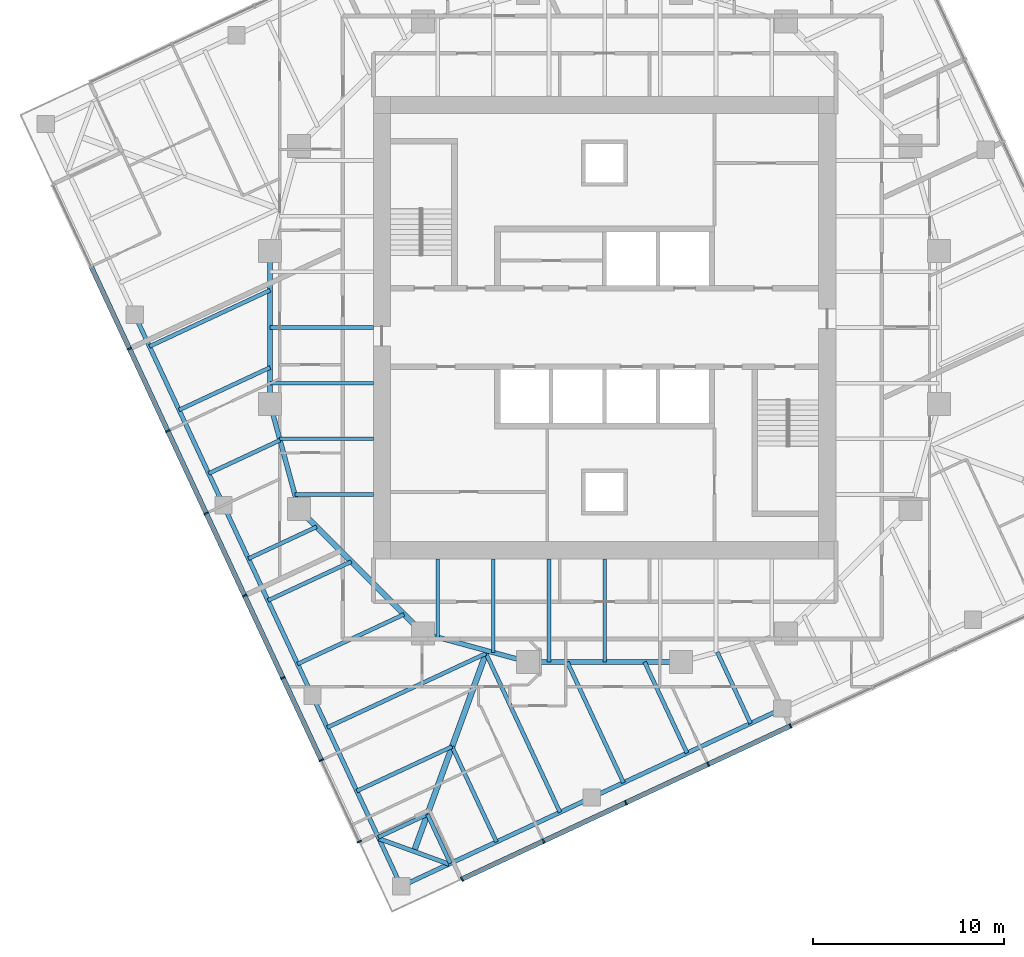
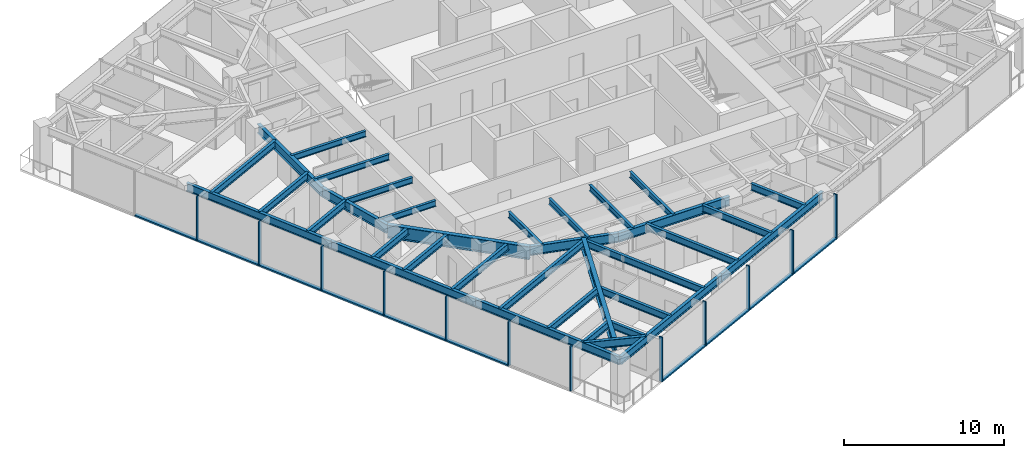
# One storey, part 2 of 13: 35 beams, 22 members, 2 elements without a shape of their own.
"""IFC4 building model written with IfcOpenShell, lengths in metres."""

from ifc_helpers import new_model, si_unit, direction, frame, origin, origin_2d, place, context, subcontext, project, spatial, rectangle, i_section, extrude, material, material_profile, profile_set, type_object, element, aggregate, save


model = new_model("IFC4")

# Units and contexts
model_context = context("Model", 3, precision=1e-05, world=origin(), true_north=direction((0.0, 1.0)))
body_context = subcontext(model_context, "Body", "Model", "MODEL_VIEW")
ifc_project = project(units=[si_unit("LENGTHUNIT", "METRE"), si_unit("AREAUNIT", "SQUARE_METRE"), si_unit("VOLUMEUNIT", "CUBIC_METRE"), si_unit("PLANEANGLEUNIT", "RADIAN"), si_unit("MASSUNIT", "GRAM", prefix="KILO")], contexts=[model_context])

# Site, building, storey
site_placement = place(None, origin())
site = spatial("IfcSite", under=ifc_project, at=site_placement, CompositionType="ELEMENT")
building_placement = place(site_placement, origin())
building = spatial("IfcBuilding", under=site, at=building_placement, Name="Torsade Residences", CompositionType="ELEMENT")
storey_placement = place(building_placement, frame((0.0, 0.0, 182.800048828125)))
storey = spatial("IfcBuildingStorey", under=building, at=storey_placement, Name="L50", CompositionType="ELEMENT", Elevation=182.800048828125)

# Beams
ifc_material_1 = material(Name="Steel grade 300", Category="steel")
ifc_material_profile_1 = material_profile(ifc_material_1, i_section(OverallWidth=0.300048828125, OverallDepth=0.89990234375, WebThickness=0.011962890625, FlangeThickness=0.02490234375, at=origin_2d()), Name="900WB175")
ifc_profile_set_1 = profile_set([ifc_material_profile_1], Name="Steel grade 300")
beam_type_1 = type_object("IfcBeamType", Name="CORNER GIRDER 900WB175", PredefinedType="BEAM", material=ifc_profile_set_1)
beam_1_placement = place(storey_placement, frame((30.02392578125, 2.5908203125, 2.800048828125), z_axis=(0.342015044723, 0.93969447651, 0.0), x_axis=(-0.93969447651, 0.342015044723, 0.0)))
element("IfcBeam", 1, at=beam_1_placement, inside=storey, type_object=beam_type_1, Name="Corner girder 01 L51", PredefinedType="BEAM", context=body_context, shape_type="SweptSolid", body=[
    extrude(i_section(OverallWidth=0.300048828125, OverallDepth=0.89990234375, WebThickness=0.011962890625, FlangeThickness=0.02490234375, at=origin_2d()), origin(), (0.0, 0.0, 1.0), 11.170654296875),
])
ifc_material_2 = material(Name="Steel grade 300", Category="steel")
ifc_material_profile_2 = material_profile(ifc_material_2, i_section(OverallWidth=0.22802734375, OverallDepth=0.60205078125, WebThickness=0.010498046875, FlangeThickness=0.014892578125, FilletRadius=0.013916015625, at=origin_2d()), Name="610UB101")
ifc_profile_set_2 = profile_set([ifc_material_profile_2], Name="Steel grade 300")
beam_type_2 = type_object("IfcBeamType", Name="CORNER TRIMMER 610UB101", PredefinedType="BEAM", material=ifc_profile_set_2)
beam_2_placement = place(storey_placement, frame((31.85107421875, 1.92578125, 2.948974609375), z_axis=(-0.939698076972, 0.342005152204, 0.0), x_axis=(-0.342005152204, -0.939698076972, 0.0)))
element("IfcBeam", 2, at=beam_2_placement, inside=storey, type_object=beam_type_2, Name="Corner trimmer 01 L51", PredefinedType="BEAM", context=body_context, shape_type="SweptSolid", body=[
    extrude(i_section(OverallWidth=0.22802734375, OverallDepth=0.60205078125, WebThickness=0.010498046875, FlangeThickness=0.014892578125, FilletRadius=0.013916015625, at=origin_2d()), origin(), (0.0, 0.0, 1.0), 3.88916015625),
])
ifc_material_3 = material(Name="Steel grade 300", Category="steel")
ifc_material_profile_3 = material_profile(ifc_material_3, i_section(OverallWidth=0.22900390625, OverallDepth=0.612060546875, WebThickness=0.011962890625, FlangeThickness=0.01953125, FilletRadius=0.013916015625, at=origin_2d()), Name="610UB125")
ifc_profile_set_3 = profile_set([ifc_material_profile_3], Name="Steel grade 300")
beam_type_3 = type_object("IfcBeamType", Name="EDGE BEAM 610UB125", PredefinedType="SPANDREL", material=ifc_profile_set_3)
beam_3_placement = place(storey_placement, frame((29.35888671875, 0.763671875, 2.94384765625), z_axis=(0.906309546032, 0.422614489543, 0.0), x_axis=(-0.422614489543, 0.906309546032, 0.0)))
element("IfcBeam", 3, at=beam_3_placement, inside=storey, type_object=beam_type_3, Name="Edge beam 01 L51", PredefinedType="SPANDREL", context=body_context, shape_type="SweptSolid", body=[
    extrude(i_section(OverallWidth=0.22900390625, OverallDepth=0.612060546875, WebThickness=0.011962890625, FlangeThickness=0.01953125, FilletRadius=0.013916015625, at=origin_2d()), origin(), (0.0, 0.0, 1.0), 10.999755859375),
])
for number, where, z_axis, x_axis, name in (
    (4, (39.328125, 5.412353515625, 2.94384765625), (0.906305009094, 0.422624219007, 0.0), (-0.422624219007, 0.906305009094, 0.0), "Edge beam 02 L51"),
    (5, (15.412353515625, 30.671875, 2.94384765625), (0.422624219007, -0.906305009094, 0.0), (0.906305009094, 0.422624219007, 0.0), "Edge beam 14 L51"),
):
    element("IfcBeam", number, at=place(storey_placement, frame(where, z_axis=z_axis, x_axis=x_axis)), inside=storey, type_object=beam_type_3, Name=name, PredefinedType="SPANDREL", context=body_context, shape_type="SweptSolid", body=[
        extrude(i_section(OverallWidth=0.22900390625, OverallDepth=0.612060546875, WebThickness=0.011962890625, FlangeThickness=0.01953125, FilletRadius=0.013916015625, at=origin_2d()), origin(), (0.0, 0.0, 1.0), 11.000244140625),
    ])
for number, where, z_axis, x_axis, name in (
    (6, (20.061279296875, 20.702392578125, 2.94384765625), (0.422605988587, -0.906313510001, 0.0), (0.906313510001, 0.422605988587, 0.0), "Edge beam 15 L51"),
    (7, (24.7099609375, 10.73291015625, 2.94384765625), (0.422632720171, -0.90630104482, 0.0), (0.90630104482, 0.422632720171, 0.0), "Edge beam 16 L51"),
):
    element("IfcBeam", number, at=place(storey_placement, frame(where, z_axis=z_axis, x_axis=x_axis)), inside=storey, type_object=beam_type_3, Name=name, PredefinedType="SPANDREL", context=body_context, shape_type="SweptSolid", body=[
        extrude(i_section(OverallWidth=0.22900390625, OverallDepth=0.612060546875, WebThickness=0.011962890625, FlangeThickness=0.01953125, FilletRadius=0.013916015625, at=origin_2d()), origin(), (0.0, 0.0, 1.0), 11.0),
    ])
ifc_material_4 = material(Name="Steel grade 300", Category="steel")
ifc_material_profile_4 = material_profile(ifc_material_4, i_section(OverallWidth=0.18994140625, OverallDepth=0.4541015625, WebThickness=0.008544921875, FlangeThickness=0.0126953125, FilletRadius=0.011474609375, at=origin_2d()), Name="460UB67.1")
ifc_profile_set_4 = profile_set([ifc_material_profile_4], Name="Steel grade 300")
beam_type_4 = type_object("IfcBeamType", Name="INNER FLOOR BEAM 460UB67.1", PredefinedType="JOIST", material=ifc_profile_set_4)
for number, where, z_axis, x_axis, name in (
    (8, (40.0, 17.89990234375, 3.02294921875), (0.0, -1.0, 0.0), (1.0, 0.0, 0.0), "Inner floor beam IS04 L51"),
    (9, (37.08740234375, 17.89990234375, 3.02294921875), (0.0, -1.0, 0.0), (1.0, 0.0, 0.0), "Inner floor beam IS05 L51"),
):
    element("IfcBeam", number, at=place(storey_placement, frame(where, z_axis=z_axis, x_axis=x_axis)), inside=storey, type_object=beam_type_4, Name=name, PredefinedType="JOIST", context=body_context, shape_type="SweptSolid", body=[
        extrude(i_section(OverallWidth=0.18994140625, OverallDepth=0.4541015625, WebThickness=0.008544921875, FlangeThickness=0.0126953125, FilletRadius=0.011474609375, at=origin_2d()), origin(), (0.0, 0.0, 1.0), 5.39990234375),
    ])
beam_4_placement = place(storey_placement, frame((34.175048828125, 17.89990234375, 3.02294921875), z_axis=(0.0, -1.0, 0.0), x_axis=(1.0, 0.0, 0.0)))
element("IfcBeam", 10, at=beam_4_placement, inside=storey, type_object=beam_type_4, Name="Inner floor beam IS06 L51", PredefinedType="JOIST", context=body_context, shape_type="SweptSolid", body=[
    extrude(i_section(OverallWidth=0.18994140625, OverallDepth=0.4541015625, WebThickness=0.008544921875, FlangeThickness=0.0126953125, FilletRadius=0.011474609375, at=origin_2d()), origin(), (0.0, 0.0, 1.0), 4.902099609375),
])
beam_5_placement = place(storey_placement, frame((31.262451171875, 17.89990234375, 3.02294921875), z_axis=(0.0, -1.0, 0.0), x_axis=(1.0, 0.0, 0.0)))
element("IfcBeam", 11, at=beam_5_placement, inside=storey, type_object=beam_type_4, Name="Inner floor beam IS07 L51", PredefinedType="JOIST", context=body_context, shape_type="SweptSolid", body=[
    extrude(i_section(OverallWidth=0.18994140625, OverallDepth=0.4541015625, WebThickness=0.008544921875, FlangeThickness=0.0126953125, FilletRadius=0.011474609375, at=origin_2d()), origin(), (0.0, 0.0, 1.0), 4.10791015625),
])
for number, where, z_axis, x_axis, name in (
    (12, (27.89990234375, 30.0, 3.02294921875), (-1.0, 0.0, 0.0), (0.0, -1.0, 0.0), "Inner floor beam IW04 L51"),
    (13, (27.89990234375, 27.08740234375, 3.02294921875), (-1.0, 0.0, 0.0), (0.0, -1.0, 0.0), "Inner floor beam IW05 L51"),
):
    element("IfcBeam", number, at=place(storey_placement, frame(where, z_axis=z_axis, x_axis=x_axis)), inside=storey, type_object=beam_type_4, Name=name, PredefinedType="JOIST", context=body_context, shape_type="SweptSolid", body=[
        extrude(i_section(OverallWidth=0.18994140625, OverallDepth=0.4541015625, WebThickness=0.008544921875, FlangeThickness=0.0126953125, FilletRadius=0.011474609375, at=origin_2d()), origin(), (0.0, 0.0, 1.0), 5.39990234375),
    ])
beam_6_placement = place(storey_placement, frame((27.89990234375, 24.175048828125, 3.02294921875), z_axis=(-1.0, 0.0, 0.0), x_axis=(0.0, -1.0, 0.0)))
element("IfcBeam", 14, at=beam_6_placement, inside=storey, type_object=beam_type_4, Name="Inner floor beam IW06 L51", PredefinedType="JOIST", context=body_context, shape_type="SweptSolid", body=[
    extrude(i_section(OverallWidth=0.18994140625, OverallDepth=0.4541015625, WebThickness=0.008544921875, FlangeThickness=0.0126953125, FilletRadius=0.011474609375, at=origin_2d()), origin(), (0.0, 0.0, 1.0), 4.902099609375),
])
beam_7_placement = place(storey_placement, frame((27.89990234375, 21.262451171875, 3.02294921875), z_axis=(-1.0, 0.0, 0.0), x_axis=(0.0, -1.0, 0.0)))
element("IfcBeam", 15, at=beam_7_placement, inside=storey, type_object=beam_type_4, Name="Inner floor beam IW07 L51", PredefinedType="JOIST", context=body_context, shape_type="SweptSolid", body=[
    extrude(i_section(OverallWidth=0.18994140625, OverallDepth=0.4541015625, WebThickness=0.008544921875, FlangeThickness=0.0126953125, FilletRadius=0.011474609375, at=origin_2d()), origin(), (0.0, 0.0, 1.0), 4.10791015625),
])

# Curtain wall, members
ifc_material_5 = material(Name="Aluminium and glass", Category="aluminium")
curtain_wall_type = type_object("IfcCurtainWallType", Name="FRITTED GLASS CURTAIN WALL MID ZONE", PredefinedType="NOTDEFINED", material=ifc_material_5)
curtain_wall_1_placement = place(storey_placement, origin())
curtain_wall_1 = element("IfcCurtainWall", 16, at=curtain_wall_1_placement, inside=storey, type_object=curtain_wall_type, Name="Curtain wall L50 face 1", PredefinedType="NOTDEFINED")
ifc_material_6 = material(Name="Aluminium mullion", Category="aluminium")
ifc_material_profile_5 = material_profile(ifc_material_6, rectangle(XDim=0.25, YDim=0.080078125, at=origin_2d()), Name="MID ZONE CURTAIN WALL MULLION 250x80")
ifc_profile_set_5 = profile_set([ifc_material_profile_5], Name="Aluminium mullion")
member_type_1 = type_object("IfcMemberType", Name="MID ZONE CURTAIN WALL MULLION 250x80", PredefinedType="MULLION", material=ifc_profile_set_5)
member_1_placement = place(storey_placement, frame((32.53662109375, 1.14208984375, 0.0), z_axis=(0.0, 0.0, 1.0), x_axis=(-0.422618261978, 0.906307786926, 0.0)))
member_1 = element("IfcMember", 17, at=member_1_placement, type_object=member_type_1, Name="Mullion 1", PredefinedType="MULLION", context=body_context, shape_type="SweptSolid", body=[
    extrude(rectangle(XDim=0.25, YDim=0.080078125, at=origin_2d()), origin(), (0.0, 0.0, 1.0), 3.39990234375),
])
member_2_placement = place(storey_placement, frame((36.805419921875, 3.132568359375, 0.0), z_axis=(0.0, 0.0, 1.0), x_axis=(-0.422618261978, 0.906307786926, 0.0)))
member_2 = element("IfcMember", 18, at=member_2_placement, type_object=member_type_1, Name="Mullion 2", PredefinedType="MULLION", context=body_context, shape_type="SweptSolid", body=[
    extrude(rectangle(XDim=0.25, YDim=0.080078125, at=origin_2d()), origin(), (0.0, 0.0, 1.0), 3.39990234375),
])
member_3_placement = place(storey_placement, frame((41.1103515625, 5.14013671875, 0.0), z_axis=(0.0, 0.0, 1.0), x_axis=(-0.422618261978, 0.906307786926, 0.0)))
member_3 = element("IfcMember", 19, at=member_3_placement, type_object=member_type_1, Name="Mullion 3", PredefinedType="MULLION", context=body_context, shape_type="SweptSolid", body=[
    extrude(rectangle(XDim=0.25, YDim=0.080078125, at=origin_2d()), origin(), (0.0, 0.0, 1.0), 3.39990234375),
])
member_4_placement = place(storey_placement, frame((45.415283203125, 7.1474609375, 0.0), z_axis=(0.0, 0.0, 1.0), x_axis=(-0.422618261978, 0.906307786926, 0.0)))
member_4 = element("IfcMember", 20, at=member_4_placement, type_object=member_type_1, Name="Mullion 4", PredefinedType="MULLION", context=body_context, shape_type="SweptSolid", body=[
    extrude(rectangle(XDim=0.25, YDim=0.080078125, at=origin_2d()), origin(), (0.0, 0.0, 1.0), 3.39990234375),
])
member_5_placement = place(storey_placement, frame((49.72021484375, 9.155029296875, 0.0), z_axis=(0.0, 0.0, 1.0), x_axis=(-0.422618261978, 0.906307786926, 0.0)))
member_5 = element("IfcMember", 21, at=member_5_placement, type_object=member_type_1, Name="Mullion 5", PredefinedType="MULLION", context=body_context, shape_type="SweptSolid", body=[
    extrude(rectangle(XDim=0.25, YDim=0.080078125, at=origin_2d()), origin(), (0.0, 0.0, 1.0), 3.39990234375),
])

curtain_wall_2_placement = place(storey_placement, origin())
curtain_wall_2 = element("IfcCurtainWall", 22, at=curtain_wall_2_placement, inside=storey, type_object=curtain_wall_type, Name="Curtain wall L50 face 10", PredefinedType="NOTDEFINED")
member_6_placement = place(storey_placement, frame((15.14013671875, 28.8896484375, 0.0), z_axis=(0.0, 0.0, 1.0), x_axis=(0.906307786926, 0.422618261978, 0.0)))
member_6 = element("IfcMember", 23, at=member_6_placement, type_object=member_type_1, Name="Mullion 3", PredefinedType="MULLION", context=body_context, shape_type="SweptSolid", body=[
    extrude(rectangle(XDim=0.25, YDim=0.080078125, at=origin_2d()), origin(), (0.0, 0.0, 1.0), 3.39990234375),
])
member_7_placement = place(storey_placement, frame((17.1474609375, 24.584716796875, 0.0), z_axis=(0.0, 0.0, 1.0), x_axis=(0.906307786926, 0.422618261978, 0.0)))
member_7 = element("IfcMember", 24, at=member_7_placement, type_object=member_type_1, Name="Mullion 4", PredefinedType="MULLION", context=body_context, shape_type="SweptSolid", body=[
    extrude(rectangle(XDim=0.25, YDim=0.080078125, at=origin_2d()), origin(), (0.0, 0.0, 1.0), 3.39990234375),
])
member_8_placement = place(storey_placement, frame((19.155029296875, 20.27978515625, 0.0), z_axis=(0.0, 0.0, 1.0), x_axis=(0.906307786926, 0.422618261978, 0.0)))
member_8 = element("IfcMember", 25, at=member_8_placement, type_object=member_type_1, Name="Mullion 5", PredefinedType="MULLION", context=body_context, shape_type="SweptSolid", body=[
    extrude(rectangle(XDim=0.25, YDim=0.080078125, at=origin_2d()), origin(), (0.0, 0.0, 1.0), 3.39990234375),
])
member_9_placement = place(storey_placement, frame((21.162353515625, 15.974853515625, 0.0), z_axis=(0.0, 0.0, 1.0), x_axis=(0.906307786926, 0.422618261978, 0.0)))
member_9 = element("IfcMember", 26, at=member_9_placement, type_object=member_type_1, Name="Mullion 6", PredefinedType="MULLION", context=body_context, shape_type="SweptSolid", body=[
    extrude(rectangle(XDim=0.25, YDim=0.080078125, at=origin_2d()), origin(), (0.0, 0.0, 1.0), 3.39990234375),
])
member_10_placement = place(storey_placement, frame((23.169677734375, 11.669921875, 0.0), z_axis=(0.0, 0.0, 1.0), x_axis=(0.906307786926, 0.422618261978, 0.0)))
member_10 = element("IfcMember", 27, at=member_10_placement, type_object=member_type_1, Name="Mullion 7", PredefinedType="MULLION", context=body_context, shape_type="SweptSolid", body=[
    extrude(rectangle(XDim=0.25, YDim=0.080078125, at=origin_2d()), origin(), (0.0, 0.0, 1.0), 3.39990234375),
])
member_11_placement = place(storey_placement, frame((25.17724609375, 7.364990234375, 0.0), z_axis=(0.0, 0.0, 1.0), x_axis=(0.906307786926, 0.422618261978, 0.0)))
member_11 = element("IfcMember", 28, at=member_11_placement, type_object=member_type_1, Name="Mullion 8", PredefinedType="MULLION", context=body_context, shape_type="SweptSolid", body=[
    extrude(rectangle(XDim=0.25, YDim=0.080078125, at=origin_2d()), origin(), (0.0, 0.0, 1.0), 3.39990234375),
])
member_12_placement = place(storey_placement, frame((27.167724609375, 3.09619140625, 0.0), z_axis=(0.0, 0.0, 1.0), x_axis=(0.906307786926, 0.422618261978, 0.0)))
member_12 = element("IfcMember", 29, at=member_12_placement, type_object=member_type_1, Name="Mullion 9", PredefinedType="MULLION", context=body_context, shape_type="SweptSolid", body=[
    extrude(rectangle(XDim=0.25, YDim=0.080078125, at=origin_2d()), origin(), (0.0, 0.0, 1.0), 3.39990234375),
])

# Member
ifc_material_7 = material(Name="Aluminium transom", Category="aluminium")
ifc_material_profile_6 = material_profile(ifc_material_7, rectangle(XDim=0.25, YDim=0.110107421875, at=origin_2d()), Name="MID ZONE CURTAIN WALL TRANSOM 250x110")
ifc_profile_set_6 = profile_set([ifc_material_profile_6], Name="Aluminium transom")
member_type_2 = type_object("IfcMemberType", Name="MID ZONE CURTAIN WALL TRANSOM 250x110", PredefinedType="USERDEFINED", material=ifc_profile_set_6)
member_13_placement = place(storey_placement, frame((32.572998046875, 1.158935546875, 0.054931640625), z_axis=(0.906296268578, 0.422642962277, 0.0), x_axis=(-0.422642962277, 0.906296268578, 0.0)))
member_13 = element("IfcMember", 30, at=member_13_placement, type_object=member_type_2, Name="Transom 1.1", ObjectType="TRANSOM", PredefinedType="USERDEFINED", context=body_context, shape_type="SweptSolid", body=[
    extrude(rectangle(XDim=0.25, YDim=0.110107421875, at=origin_2d()), origin(), (0.0, 0.0, 1.0), 4.6298828125),
])

member_14_placement = place(storey_placement, frame((36.841552734375, 3.1494140625, 0.054931640625), z_axis=(0.906305976097, 0.422622145291, 0.0), x_axis=(-0.422622145291, 0.906305976097, 0.0)))
member_14 = element("IfcMember", 31, at=member_14_placement, type_object=member_type_2, Name="Transom 2.1", ObjectType="TRANSOM", PredefinedType="USERDEFINED", context=body_context, shape_type="SweptSolid", body=[
    extrude(rectangle(XDim=0.25, YDim=0.110107421875, at=origin_2d()), origin(), (0.0, 0.0, 1.0), 4.669921875),
])

member_15_placement = place(storey_placement, frame((41.146484375, 5.156982421875, 0.054931640625), z_axis=(0.906305976097, 0.422622145291, 0.0), x_axis=(-0.422622145291, 0.906305976097, 0.0)))
member_15 = element("IfcMember", 32, at=member_15_placement, type_object=member_type_2, Name="Transom 3.1", ObjectType="TRANSOM", PredefinedType="USERDEFINED", context=body_context, shape_type="SweptSolid", body=[
    extrude(rectangle(XDim=0.25, YDim=0.110107421875, at=origin_2d()), origin(), (0.0, 0.0, 1.0), 4.669921875),
])

member_16_placement = place(storey_placement, frame((45.451416015625, 7.164306640625, 0.054931640625), z_axis=(0.90631531293, 0.422602122035, 0.0), x_axis=(-0.422602122035, 0.90631531293, 0.0)))
member_16 = element("IfcMember", 33, at=member_16_placement, type_object=member_type_2, Name="Transom 4.1", ObjectType="TRANSOM", PredefinedType="USERDEFINED", context=body_context, shape_type="SweptSolid", body=[
    extrude(rectangle(XDim=0.25, YDim=0.110107421875, at=origin_2d()), origin(), (0.0, 0.0, 1.0), 4.670166015625),
])

aggregate(curtain_wall_1, [member_1, member_2, member_3, member_4, member_5, member_13, member_14, member_15, member_16])

member_17_placement = place(storey_placement, frame((13.1494140625, 33.158447265625, 0.054931640625), z_axis=(0.422622145291, -0.906305976097, 0.0), x_axis=(0.906305976097, 0.422622145291, 0.0)))
member_17 = element("IfcMember", 34, at=member_17_placement, type_object=member_type_2, Name="Transom 2.1", ObjectType="TRANSOM", PredefinedType="USERDEFINED", context=body_context, shape_type="SweptSolid", body=[
    extrude(rectangle(XDim=0.25, YDim=0.110107421875, at=origin_2d()), origin(), (0.0, 0.0, 1.0), 4.669921875),
])

member_18_placement = place(storey_placement, frame((15.156982421875, 28.853515625, 0.054931640625), z_axis=(0.422622145291, -0.906305976097, 0.0), x_axis=(0.906305976097, 0.422622145291, 0.0)))
member_18 = element("IfcMember", 35, at=member_18_placement, type_object=member_type_2, Name="Transom 3.1", ObjectType="TRANSOM", PredefinedType="USERDEFINED", context=body_context, shape_type="SweptSolid", body=[
    extrude(rectangle(XDim=0.25, YDim=0.110107421875, at=origin_2d()), origin(), (0.0, 0.0, 1.0), 4.669921875),
])

member_19_placement = place(storey_placement, frame((17.164306640625, 24.548583984375, 0.054931640625), z_axis=(0.422602122035, -0.90631531293, 0.0), x_axis=(0.90631531293, 0.422602122035, 0.0)))
member_19 = element("IfcMember", 36, at=member_19_placement, type_object=member_type_2, Name="Transom 4.1", ObjectType="TRANSOM", PredefinedType="USERDEFINED", context=body_context, shape_type="SweptSolid", body=[
    extrude(rectangle(XDim=0.25, YDim=0.110107421875, at=origin_2d()), origin(), (0.0, 0.0, 1.0), 4.670166015625),
])

member_20_placement = place(storey_placement, frame((19.171875, 20.243408203125, 0.054931640625), z_axis=(0.422622145291, -0.906305976097, 0.0), x_axis=(0.906305976097, 0.422622145291, 0.0)))
member_20 = element("IfcMember", 37, at=member_20_placement, type_object=member_type_2, Name="Transom 5.1", ObjectType="TRANSOM", PredefinedType="USERDEFINED", context=body_context, shape_type="SweptSolid", body=[
    extrude(rectangle(XDim=0.25, YDim=0.110107421875, at=origin_2d()), origin(), (0.0, 0.0, 1.0), 4.669921875),
])

member_21_placement = place(storey_placement, frame((21.17919921875, 15.9384765625, 0.054931640625), z_axis=(0.422622145291, -0.906305976097, 0.0), x_axis=(0.906305976097, 0.422622145291, 0.0)))
member_21 = element("IfcMember", 38, at=member_21_placement, type_object=member_type_2, Name="Transom 6.1", ObjectType="TRANSOM", PredefinedType="USERDEFINED", context=body_context, shape_type="SweptSolid", body=[
    extrude(rectangle(XDim=0.25, YDim=0.110107421875, at=origin_2d()), origin(), (0.0, 0.0, 1.0), 4.669921875),
])

member_22_placement = place(storey_placement, frame((23.186767578125, 11.633544921875, 0.054931640625), z_axis=(0.422622145291, -0.906305976097, 0.0), x_axis=(0.906305976097, 0.422622145291, 0.0)))
member_22 = element("IfcMember", 39, at=member_22_placement, type_object=member_type_2, Name="Transom 7.1", ObjectType="TRANSOM", PredefinedType="USERDEFINED", context=body_context, shape_type="SweptSolid", body=[
    extrude(rectangle(XDim=0.25, YDim=0.110107421875, at=origin_2d()), origin(), (0.0, 0.0, 1.0), 4.669921875),
])

aggregate(curtain_wall_2, [member_6, member_7, member_8, member_9, member_10, member_11, member_12, member_17, member_18, member_19, member_20, member_21, member_22])

# Beams
ifc_material_8 = material(Name="Steel grade 300", Category="steel")
ifc_material_profile_7 = material_profile(ifc_material_8, i_section(OverallWidth=0.300048828125, OverallDepth=1.0, WebThickness=0.01611328125, FlangeThickness=0.028076171875, at=origin_2d()), Name="1000WB215")
ifc_profile_set_7 = profile_set([ifc_material_profile_7], Name="Steel grade 300")
beam_type_5 = type_object("IfcBeamType", Name="RING CORNER GIRDER 1000WB215", PredefinedType="BEAM", material=ifc_profile_set_7)
beam_8_placement = place(storey_placement, frame((24.0, 20.5, 2.75), z_axis=(0.707106781187, -0.707106781187, 0.0), x_axis=(0.707106781187, 0.707106781187, 0.0)))
element("IfcBeam", 40, at=beam_8_placement, inside=storey, type_object=beam_type_5, Name="Ring girder IR11 L51", PredefinedType="BEAM", context=body_context, shape_type="SweptSolid", body=[
    extrude(i_section(OverallWidth=0.300048828125, OverallDepth=1.0, WebThickness=0.01611328125, FlangeThickness=0.028076171875, at=origin_2d()), origin(), (0.0, 0.0, 1.0), 9.1923828125),
])
ifc_material_9 = material(Name="Steel grade 300", Category="steel")
ifc_material_profile_8 = material_profile(ifc_material_9, i_section(OverallWidth=0.25, OverallDepth=0.699951171875, WebThickness=0.010009765625, FlangeThickness=0.02001953125, at=origin_2d()), Name="700WB130")
ifc_profile_set_8 = profile_set([ifc_material_profile_8], Name="Steel grade 300")
beam_type_6 = type_object("IfcBeamType", Name="RING GIRDER 700WB130", PredefinedType="BEAM", material=ifc_profile_set_8)
beam_9_placement = place(storey_placement, frame((22.5, 34.0, 2.89990234375), z_axis=(0.0, -1.0, 0.0), x_axis=(1.0, 0.0, 0.0)))
element("IfcBeam", 41, at=beam_9_placement, inside=storey, type_object=beam_type_6, Name="Ring girder IR09 L51", PredefinedType="BEAM", context=body_context, shape_type="SweptSolid", body=[
    extrude(i_section(OverallWidth=0.25, OverallDepth=0.699951171875, WebThickness=0.010009765625, FlangeThickness=0.02001953125, at=origin_2d()), origin(), (0.0, 0.0, 1.0), 8.0),
])
for number, where, z_axis, x_axis, name in (
    (42, (22.5, 26.0, 2.89990234375), (0.263117405792, -0.964763821238, 0.0), (0.964763821238, 0.263117405792, 0.0), "Ring girder IR10 L51"),
    (43, (30.5, 14.0, 2.89990234375), (0.964763821238, -0.263117405792, 0.0), (0.263117405792, 0.964763821238, 0.0), "Ring girder IR12 L51"),
):
    element("IfcBeam", number, at=place(storey_placement, frame(where, z_axis=z_axis, x_axis=x_axis)), inside=storey, type_object=beam_type_6, Name=name, PredefinedType="BEAM", context=body_context, shape_type="SweptSolid", body=[
        extrude(i_section(OverallWidth=0.25, OverallDepth=0.699951171875, WebThickness=0.010009765625, FlangeThickness=0.02001953125, at=origin_2d()), origin(), (0.0, 0.0, 1.0), 5.700927734375),
    ])
beam_10_placement = place(storey_placement, frame((36.0, 12.5, 2.89990234375), z_axis=(1.0, 0.0, 0.0), x_axis=(0.0, 1.0, 0.0)))
element("IfcBeam", 44, at=beam_10_placement, inside=storey, type_object=beam_type_6, Name="Ring girder IR13 L51", PredefinedType="BEAM", context=body_context, shape_type="SweptSolid", body=[
    extrude(i_section(OverallWidth=0.25, OverallDepth=0.699951171875, WebThickness=0.010009765625, FlangeThickness=0.02001953125, at=origin_2d()), origin(), (0.0, 0.0, 1.0), 8.0),
])
ifc_material_10 = material(Name="Steel grade 300", Category="steel")
ifc_material_profile_9 = material_profile(ifc_material_10, i_section(OverallWidth=0.208984375, OverallDepth=0.528076171875, WebThickness=0.009521484375, FlangeThickness=0.01318359375, FilletRadius=0.013916015625, at=origin_2d()), Name="530UB82.0")
ifc_profile_set_9 = profile_set([ifc_material_profile_9], Name="Steel grade 300")
beam_type_7 = type_object("IfcBeamType", Name="SECONDARY BEAM 530UB82.0", PredefinedType="JOIST", material=ifc_profile_set_9)
beam_11_placement = place(storey_placement, frame((31.9267578125, 1.9609375, 2.98583984375), z_axis=(-0.422644877104, 0.906295375613, 0.0), x_axis=(-0.906295375613, -0.422644877104, 0.0)))
element("IfcBeam", 45, at=beam_11_placement, inside=storey, type_object=beam_type_7, Name="Floor beam FS01 L51", PredefinedType="JOIST", context=body_context, shape_type="SweptSolid", body=[
    extrude(i_section(OverallWidth=0.208984375, OverallDepth=0.528076171875, WebThickness=0.009521484375, FlangeThickness=0.01318359375, FilletRadius=0.013916015625, at=origin_2d()), origin(), (0.0, 0.0, 1.0), 2.833251953125),
])
beam_12_placement = place(storey_placement, frame((34.343505859375, 3.088134765625, 2.98583984375), z_axis=(-0.422632720171, 0.90630104482, 0.0), x_axis=(-0.90630104482, -0.422632720171, 0.0)))
element("IfcBeam", 46, at=beam_12_placement, inside=storey, type_object=beam_type_7, Name="Floor beam FS02 L51", PredefinedType="JOIST", context=body_context, shape_type="SweptSolid", body=[
    extrude(i_section(OverallWidth=0.208984375, OverallDepth=0.528076171875, WebThickness=0.009521484375, FlangeThickness=0.01318359375, FilletRadius=0.013916015625, at=origin_2d()), origin(), (0.0, 0.0, 1.0), 5.5),
])
beam_13_placement = place(storey_placement, frame((37.666748046875, 4.6376953125, 2.98583984375), z_axis=(-0.422618627092, 0.90630761667, 0.0), x_axis=(-0.90630761667, -0.422618627092, 0.0)))
element("IfcBeam", 47, at=beam_13_placement, inside=storey, type_object=beam_type_7, Name="Floor beam FS03 L51", PredefinedType="JOIST", context=body_context, shape_type="SweptSolid", body=[
    extrude(i_section(OverallWidth=0.208984375, OverallDepth=0.528076171875, WebThickness=0.009521484375, FlangeThickness=0.01318359375, FilletRadius=0.013916015625, at=origin_2d()), origin(), (0.0, 0.0, 1.0), 9.166748046875),
])
beam_14_placement = place(storey_placement, frame((40.98974609375, 6.187255859375, 2.98583984375), z_axis=(-0.422609131726, 0.906312044376, 0.0), x_axis=(-0.906312044376, -0.422609131726, 0.0)))
element("IfcBeam", 48, at=beam_14_placement, inside=storey, type_object=beam_type_7, Name="Floor beam FS04 L51", PredefinedType="JOIST", context=body_context, shape_type="SweptSolid", body=[
    extrude(i_section(OverallWidth=0.208984375, OverallDepth=0.528076171875, WebThickness=0.009521484375, FlangeThickness=0.01318359375, FilletRadius=0.013916015625, at=origin_2d()), origin(), (0.0, 0.0, 1.0), 6.96533203125),
])
beam_15_placement = place(storey_placement, frame((44.31298828125, 7.73681640625, 2.98583984375), z_axis=(-0.422631142882, 0.90630178035, 0.0), x_axis=(-0.90630178035, -0.422631142882, 0.0)))
element("IfcBeam", 49, at=beam_15_placement, inside=storey, type_object=beam_type_7, Name="Floor beam FS05 L51", PredefinedType="JOIST", context=body_context, shape_type="SweptSolid", body=[
    extrude(i_section(OverallWidth=0.208984375, OverallDepth=0.528076171875, WebThickness=0.009521484375, FlangeThickness=0.01318359375, FilletRadius=0.013916015625, at=origin_2d()), origin(), (0.0, 0.0, 1.0), 5.255615234375),
])
beam_16_placement = place(storey_placement, frame((47.635986328125, 9.286376953125, 2.98583984375), z_axis=(-0.422635442612, 0.906299775267, 0.0), x_axis=(-0.906299775267, -0.422635442612, 0.0)))
element("IfcBeam", 50, at=beam_16_placement, inside=storey, type_object=beam_type_7, Name="Floor beam FS06 L51", PredefinedType="JOIST", context=body_context, shape_type="SweptSolid", body=[
    extrude(i_section(OverallWidth=0.208984375, OverallDepth=0.528076171875, WebThickness=0.009521484375, FlangeThickness=0.01318359375, FilletRadius=0.013916015625, at=origin_2d()), origin(), (0.0, 0.0, 1.0), 4.116455078125),
])
beam_17_placement = place(storey_placement, frame((16.187255859375, 29.01025390625, 2.98583984375), z_axis=(0.906312044376, 0.422609131726, 0.0), x_axis=(-0.422609131726, 0.906312044376, 0.0)))
element("IfcBeam", 51, at=beam_17_placement, inside=storey, type_object=beam_type_7, Name="Floor beam FW04 L51", PredefinedType="JOIST", context=body_context, shape_type="SweptSolid", body=[
    extrude(i_section(OverallWidth=0.208984375, OverallDepth=0.528076171875, WebThickness=0.009521484375, FlangeThickness=0.01318359375, FilletRadius=0.013916015625, at=origin_2d()), origin(), (0.0, 0.0, 1.0), 6.96533203125),
])
beam_18_placement = place(storey_placement, frame((17.73681640625, 25.68701171875, 2.98583984375), z_axis=(0.90630178035, 0.422631142882, 0.0), x_axis=(-0.422631142882, 0.90630178035, 0.0)))
element("IfcBeam", 52, at=beam_18_placement, inside=storey, type_object=beam_type_7, Name="Floor beam FW05 L51", PredefinedType="JOIST", context=body_context, shape_type="SweptSolid", body=[
    extrude(i_section(OverallWidth=0.208984375, OverallDepth=0.528076171875, WebThickness=0.009521484375, FlangeThickness=0.01318359375, FilletRadius=0.013916015625, at=origin_2d()), origin(), (0.0, 0.0, 1.0), 5.255615234375),
])
beam_19_placement = place(storey_placement, frame((19.286376953125, 22.364013671875, 2.98583984375), z_axis=(0.906299775267, 0.422635442612, 0.0), x_axis=(-0.422635442612, 0.906299775267, 0.0)))
element("IfcBeam", 53, at=beam_19_placement, inside=storey, type_object=beam_type_7, Name="Floor beam FW06 L51", PredefinedType="JOIST", context=body_context, shape_type="SweptSolid", body=[
    extrude(i_section(OverallWidth=0.208984375, OverallDepth=0.528076171875, WebThickness=0.009521484375, FlangeThickness=0.01318359375, FilletRadius=0.013916015625, at=origin_2d()), origin(), (0.0, 0.0, 1.0), 4.116455078125),
])
beam_20_placement = place(storey_placement, frame((21.3642578125, 17.907958984375, 2.98583984375), z_axis=(0.906295680735, 0.422644222818, 0.0), x_axis=(-0.422644222818, 0.906295680735, 0.0)))
element("IfcBeam", 54, at=beam_20_placement, inside=storey, type_object=beam_type_7, Name="Floor beam FW07 L51", PredefinedType="JOIST", context=body_context, shape_type="SweptSolid", body=[
    extrude(i_section(OverallWidth=0.208984375, OverallDepth=0.528076171875, WebThickness=0.009521484375, FlangeThickness=0.01318359375, FilletRadius=0.013916015625, at=origin_2d()), origin(), (0.0, 0.0, 1.0), 3.933837890625),
])
beam_21_placement = place(storey_placement, frame((22.3857421875, 15.7177734375, 2.98583984375), z_axis=(0.906307500203, 0.422618876857, 0.0), x_axis=(-0.422618876857, 0.906307500203, 0.0)))
element("IfcBeam", 55, at=beam_21_placement, inside=storey, type_object=beam_type_7, Name="Floor beam FW08 L51", PredefinedType="JOIST", context=body_context, shape_type="SweptSolid", body=[
    extrude(i_section(OverallWidth=0.208984375, OverallDepth=0.528076171875, WebThickness=0.009521484375, FlangeThickness=0.01318359375, FilletRadius=0.013916015625, at=origin_2d()), origin(), (0.0, 0.0, 1.0), 4.813232421875),
])
beam_22_placement = place(storey_placement, frame((23.935302734375, 12.39453125, 2.98583984375), z_axis=(0.906293692233, 0.42264848683, 0.0), x_axis=(-0.42264848683, 0.906293692233, 0.0)))
element("IfcBeam", 56, at=beam_22_placement, inside=storey, type_object=beam_type_7, Name="Floor beam FW09 L51", PredefinedType="JOIST", context=body_context, shape_type="SweptSolid", body=[
    extrude(i_section(OverallWidth=0.208984375, OverallDepth=0.528076171875, WebThickness=0.009521484375, FlangeThickness=0.01318359375, FilletRadius=0.013916015625, at=origin_2d()), origin(), (0.0, 0.0, 1.0), 6.14794921875),
])
beam_23_placement = place(storey_placement, frame((25.48486328125, 9.071533203125, 2.98583984375), z_axis=(0.90630761667, 0.422618627092, 0.0), x_axis=(-0.422618627092, 0.90630761667, 0.0)))
element("IfcBeam", 57, at=beam_23_placement, inside=storey, type_object=beam_type_7, Name="Floor beam FW10 L51", PredefinedType="JOIST", context=body_context, shape_type="SweptSolid", body=[
    extrude(i_section(OverallWidth=0.208984375, OverallDepth=0.528076171875, WebThickness=0.009521484375, FlangeThickness=0.01318359375, FilletRadius=0.013916015625, at=origin_2d()), origin(), (0.0, 0.0, 1.0), 9.166748046875),
])
beam_24_placement = place(storey_placement, frame((27.034423828125, 5.748291015625, 2.98583984375), z_axis=(0.90630104482, 0.422632720171, 0.0), x_axis=(-0.422632720171, 0.90630104482, 0.0)))
element("IfcBeam", 58, at=beam_24_placement, inside=storey, type_object=beam_type_7, Name="Floor beam FW11 L51", PredefinedType="JOIST", context=body_context, shape_type="SweptSolid", body=[
    extrude(i_section(OverallWidth=0.208984375, OverallDepth=0.528076171875, WebThickness=0.009521484375, FlangeThickness=0.01318359375, FilletRadius=0.013916015625, at=origin_2d()), origin(), (0.0, 0.0, 1.0), 5.5),
])
beam_25_placement = place(storey_placement, frame((28.161376953125, 3.33154296875, 2.98583984375), z_axis=(0.906328379221, 0.42257409885, 0.0), x_axis=(-0.42257409885, 0.906328379221, 0.0)))
element("IfcBeam", 59, at=beam_25_placement, inside=storey, type_object=beam_type_7, Name="Floor beam FW12 L51", PredefinedType="JOIST", context=body_context, shape_type="SweptSolid", body=[
    extrude(i_section(OverallWidth=0.208984375, OverallDepth=0.528076171875, WebThickness=0.009521484375, FlangeThickness=0.01318359375, FilletRadius=0.013916015625, at=origin_2d()), origin(), (0.0, 0.0, 1.0), 2.833251953125),
])

save(model, "model.ifc")
